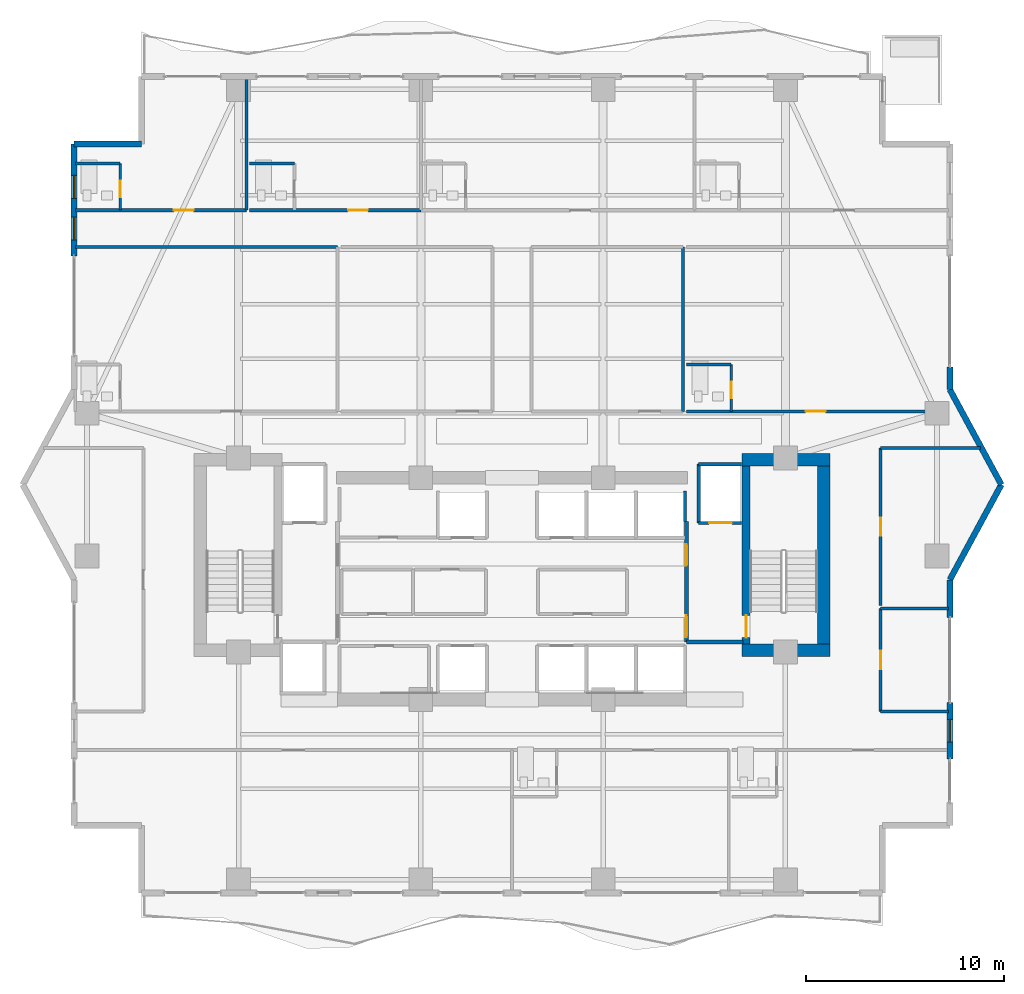
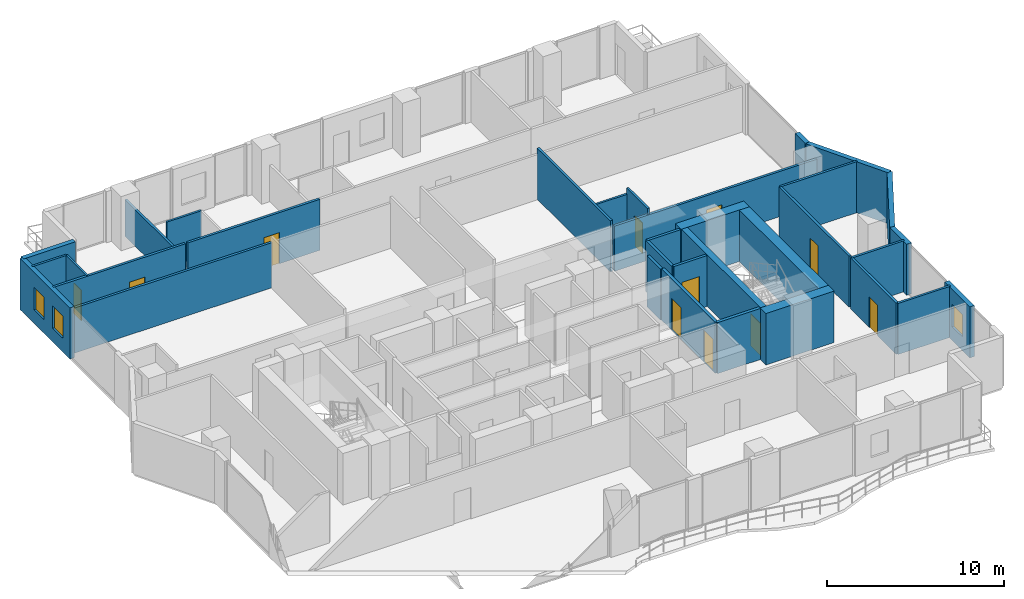
# One storey, part 27 of 32: 33 walls, 11 doors, 3 windows, 14 openings.
"""IFC4 building model written with IfcOpenShell, lengths in metres."""

from ifc_helpers import new_model, si_unit, direction, frame, frame_2d, origin, place, context, subcontext, project, spatial, rectangle, extrude, material, layer, layer_set, type_object, element, fill, save


model = new_model("IFC4")

# Units and contexts
model_context = context("Model", 3, precision=1e-05, world=origin(), true_north=direction((0.0, 1.0)))
body_context = subcontext(model_context, "Body", "Model", "MODEL_VIEW")
ifc_project = project(units=[si_unit("LENGTHUNIT", "METRE"), si_unit("AREAUNIT", "SQUARE_METRE"), si_unit("VOLUMEUNIT", "CUBIC_METRE"), si_unit("PLANEANGLEUNIT", "RADIAN"), si_unit("MASSUNIT", "GRAM", prefix="KILO")], contexts=[model_context])

# Site, building, storey
site_placement = place(None, origin())
site = spatial("IfcSite", under=ifc_project, at=site_placement, CompositionType="ELEMENT")
building_placement = place(site_placement, origin())
building = spatial("IfcBuilding", under=site, at=building_placement, Name="Zuhayl Quay Hotel", CompositionType="ELEMENT")
storey_placement = place(building_placement, frame((0.0, 0.0, 218.64990234375)))
storey = spatial("IfcBuildingStorey", under=building, at=storey_placement, Name="L55", CompositionType="ELEMENT", Elevation=218.64990234375)

# Walls
ifc_material_1 = material(Name="Concrete C50/60", Category="concrete")
ifc_layer_1 = layer(ifc_material_1, 0.64990234375, Name="Concrete C50/60", Category="concrete")
ifc_layer_set_1 = layer_set([ifc_layer_1], Name="Concrete C50/60")
wall_type_1 = type_object("IfcWallType", Name="WL_CORE_650", PredefinedType="SHEAR", material=ifc_layer_set_1)
wall_1_placement = place(storey_placement, frame((11.60009765625, 14.2548828125, 0.0), z_axis=(0.0, 0.0, 1.0), x_axis=(1.0, 0.0, 0.0)))
element("IfcWall", 1, at=wall_1_placement, inside=storey, type_object=wall_type_1, Name="L55 Core Shear Wall CW_NE", PredefinedType="SHEAR", context=body_context, shape_type="SweptSolid", body=[
    extrude(rectangle(XDim=4.4599609375, YDim=0.64990234375, at=frame_2d((2.22998046875, 0.0))), origin(), (0.0, 0.0, 1.0), 3.56005859375),
])
wall_2_placement = place(storey_placement, frame((15.735107421875, 4.969970703125, 0.0), z_axis=(0.0, 0.0, 1.0), x_axis=(0.0, 1.0, 0.0)))
element("IfcWall", 2, at=wall_2_placement, inside=storey, type_object=wall_type_1, Name="L55 Core Shear Wall CW_E", PredefinedType="SHEAR", context=body_context, shape_type="SweptSolid", body=[
    extrude(rectangle(XDim=8.9599609375, YDim=0.64990234375, at=frame_2d((4.47998046875, 0.0))), origin(), (0.0, 0.0, 1.0), 3.56005859375),
])
wall_3_placement = place(storey_placement, frame((11.60009765625, 4.64501953125, 0.0), z_axis=(0.0, 0.0, 1.0), x_axis=(1.0, 0.0, 0.0)))
element("IfcWall", 3, at=wall_3_placement, inside=storey, type_object=wall_type_1, Name="L55 Core Shear Wall CW_SE", PredefinedType="SHEAR", context=body_context, shape_type="SweptSolid", body=[
    extrude(rectangle(XDim=4.4599609375, YDim=0.64990234375, at=frame_2d((2.22998046875, 0.0))), origin(), (0.0, 0.0, 1.0), 3.56005859375),
])

# Wall, openings, windows
ifc_material_2 = material(Name="Precast concrete C45/55", Category="concrete")
ifc_layer_2 = layer(ifc_material_2, 0.300048828125, Name="Precast concrete C45/55", Category="concrete")
ifc_layer_set_2 = layer_set([ifc_layer_2], Name="Precast concrete C45/55")
wall_type_2 = type_object("IfcWallType", Name="WL_EXT_300", PredefinedType="STANDARD", material=ifc_layer_set_2)
wall_4_placement = place(storey_placement, frame((-22.10009765625, 24.550048828125, 0.0), z_axis=(0.0, 0.0, 1.0), x_axis=(0.0, 1.0, 0.0)))
wall_4 = element("IfcWall", 4, at=wall_4_placement, inside=storey, type_object=wall_type_2, Name="L55 Exterior Precast Wall ENV_L55_E05_EW2", PredefinedType="STANDARD", context=body_context, shape_type="SweptSolid", body=[
    extrude(rectangle(XDim=5.64990234375, YDim=0.300048828125, at=frame_2d((2.824951171875, 0.0))), origin(), (0.0, 0.0, 1.0), 3.530029296875),
])
opening_1_placement = place(wall_4_placement, frame((0.800048828125, 0.0, 0.949951171875)))
opening_1 = element("IfcOpeningElement", 5, at=opening_1_placement, cuts=wall_4, Name="Opening W01N", PredefinedType="OPENING", context=body_context, shape_type="SweptSolid", body=[
    extrude(rectangle(XDim=1.14990234375, YDim=1.550048828125, at=frame_2d((0.574951171875, 0.77490234375))), frame((0.0, 0.159912109375, 0.0), z_axis=(0.0, -1.0, 0.0), x_axis=(1.0, 0.0, 0.0)), (0.0, 0.0, 1.0), 0.320068359375),
])
opening_2_placement = place(wall_4_placement, frame((2.905029296875, 0.0, 0.949951171875)))
opening_2 = element("IfcOpeningElement", 6, at=opening_2_placement, cuts=wall_4, Name="Opening W01N", PredefinedType="OPENING", context=body_context, shape_type="SweptSolid", body=[
    extrude(rectangle(XDim=1.14990234375, YDim=1.550048828125, at=frame_2d((0.574951171875, 0.77490234375))), frame((0.0, 0.159912109375, 0.0), z_axis=(0.0, -1.0, 0.0), x_axis=(1.0, 0.0, 0.0)), (0.0, 0.0, 1.0), 0.320068359375),
])
ifc_material_3 = material(Name="Dark Ceramic-Fritted Solar Glass", Category="glass")
window_type = type_object("IfcWindowType", Name="WN_NOTCH_1350", PartitioningType="SINGLE_PANEL", PredefinedType="WINDOW", material=ifc_material_3)
window_1_placement = place(opening_1_placement, origin())
window_1 = element("IfcWindow", 7, at=window_1_placement, inside=storey, type_object=window_type, Name="L55 Operable Facade Window 2-1", OverallHeight=1.550048828125, OverallWidth=1.14990234375, PartitioningType="SINGLE_PANEL", PredefinedType="WINDOW", context=body_context, shape_type="SweptSolid", body=[
    extrude(rectangle(XDim=1.14990234375, YDim=1.550048828125, at=frame_2d((0.574951171875, 0.77490234375))), frame((0.0, 0.030029296875, 0.0), z_axis=(0.0, -1.0, 0.0), x_axis=(1.0, 0.0, 0.0)), (0.0, 0.0, 1.0), 0.06005859375),
])
fill(opening_1, window_1)
window_2_placement = place(opening_2_placement, origin())
window_2 = element("IfcWindow", 8, at=window_2_placement, inside=storey, type_object=window_type, Name="L55 Operable Facade Window 2-2", OverallHeight=1.550048828125, OverallWidth=1.14990234375, PartitioningType="SINGLE_PANEL", PredefinedType="WINDOW", context=body_context, shape_type="SweptSolid", body=[
    extrude(rectangle(XDim=1.14990234375, YDim=1.550048828125, at=frame_2d((0.574951171875, 0.77490234375))), frame((0.0, 0.030029296875, 0.0), z_axis=(0.0, -1.0, 0.0), x_axis=(1.0, 0.0, 0.0)), (0.0, 0.0, 1.0), 0.06005859375),
])
fill(opening_2, window_2)

# Walls
wall_5_placement = place(storey_placement, frame((-22.10009765625, 30.199951171875, 0.0), z_axis=(0.0, 0.0, 1.0), x_axis=(1.0, 0.0, 0.0)))
element("IfcWall", 9, at=wall_5_placement, inside=storey, type_object=wall_type_2, Name="L55 Exterior Precast Wall ENV_L55_EW06", PredefinedType="STANDARD", context=body_context, shape_type="SweptSolid", body=[
    extrude(rectangle(XDim=3.400146484375, YDim=0.300048828125, at=frame_2d((1.7001953125, 0.0))), origin(), (0.0, 0.0, 1.0), 3.530029296875),
])
wall_6_placement = place(storey_placement, frame((22.10009765625, 18.949951171875, 0.0), z_axis=(0.0, 0.0, 1.0), x_axis=(0.0, -1.0, 0.0)))
element("IfcWall", 10, at=wall_6_placement, inside=storey, type_object=wall_type_2, Name="L55 Exterior Precast Wall ENV_L55_E11_EW2", PredefinedType="STANDARD", context=body_context, shape_type="SweptSolid", body=[
    extrude(rectangle(XDim=1.14990234375, YDim=0.300048828125, at=frame_2d((0.574951171875, 0.0))), origin(), (0.0, 0.0, 1.0), 3.530029296875),
])
for number, where, z_axis, x_axis, name in (
    (11, (22.10009765625, 17.800048828125, 0.0), (0.0, 0.0, 1.0), (0.476258655584, -0.879305233114, 0.0), "L55 Exterior Precast Wall ENV_L55_EW12"),
    (12, (24.699951171875, 13.0, 0.0), (0.0, 0.0, 1.0), (-0.476258655584, -0.879305233114, 0.0), "L55 Exterior Precast Wall ENV_L55_EW13"),
):
    element("IfcWall", number, at=place(storey_placement, frame(where, z_axis=z_axis, x_axis=x_axis)), inside=storey, type_object=wall_type_2, Name=name, PredefinedType="STANDARD", context=body_context, shape_type="SweptSolid", body=[
        extrude(rectangle(XDim=5.458984375, YDim=0.300048828125, at=frame_2d((2.7294921875, 0.0))), origin(), (0.0, 0.0, 1.0), 3.530029296875),
    ])
wall_7_placement = place(storey_placement, frame((22.10009765625, 8.199951171875, 0.0), z_axis=(0.0, 0.0, 1.0), x_axis=(0.0, -1.0, 0.0)))
element("IfcWall", 13, at=wall_7_placement, inside=storey, type_object=wall_type_2, Name="L55 Exterior Precast Wall ENV_L55_E14_EW1", PredefinedType="STANDARD", context=body_context, shape_type="SweptSolid", body=[
    extrude(rectangle(XDim=1.89990234375, YDim=0.300048828125, at=frame_2d((0.949951171875, 0.0))), origin(), (0.0, 0.0, 1.0), 3.530029296875),
])

# Wall, opening, window
wall_8_placement = place(storey_placement, frame((22.10009765625, 2.0, 0.0), z_axis=(0.0, 0.0, 1.0), x_axis=(0.0, -1.0, 0.0)))
wall_8 = element("IfcWall", 14, at=wall_8_placement, inside=storey, type_object=wall_type_2, Name="L55 Exterior Precast Wall ENV_L55_E14_EW2", PredefinedType="STANDARD", context=body_context, shape_type="SweptSolid", body=[
    extrude(rectangle(XDim=2.85009765625, YDim=0.300048828125, at=frame_2d((1.425048828125, 0.0))), origin(), (0.0, 0.0, 1.0), 3.530029296875),
])
opening_3_placement = place(wall_8_placement, frame((0.85009765625, 0.0, 0.949951171875)))
opening_3 = element("IfcOpeningElement", 15, at=opening_3_placement, cuts=wall_8, Name="Opening W01N", PredefinedType="OPENING", context=body_context, shape_type="SweptSolid", body=[
    extrude(rectangle(XDim=1.14990234375, YDim=1.550048828125, at=frame_2d((0.574951171875, 0.77490234375))), frame((0.0, 0.159912109375, 0.0), z_axis=(0.0, -1.0, 0.0), x_axis=(1.0, 0.0, 0.0)), (0.0, 0.0, 1.0), 0.320068359375),
])
window_3_placement = place(opening_3_placement, origin())
window_3 = element("IfcWindow", 16, at=window_3_placement, inside=storey, type_object=window_type, Name="L55 Operable Facade Window 2-1", OverallHeight=1.550048828125, OverallWidth=1.14990234375, PartitioningType="SINGLE_PANEL", PredefinedType="WINDOW", context=body_context, shape_type="SweptSolid", body=[
    extrude(rectangle(XDim=1.14990234375, YDim=1.550048828125, at=frame_2d((0.574951171875, 0.77490234375))), frame((0.0, 0.030029296875, 0.0), z_axis=(0.0, -1.0, 0.0), x_axis=(1.0, 0.0, 0.0)), (0.0, 0.0, 1.0), 0.06005859375),
])
fill(opening_3, window_3)

# Walls
ifc_material_4 = material(Name="Acoustic Gypsum Partition STC-58")
ifc_layer_3 = layer(ifc_material_4, 0.14990234375, Name="Acoustic Gypsum Partition STC-58")
ifc_layer_set_3 = layer_set([ifc_layer_3], Name="Acoustic Gypsum Partition STC-58")
wall_type_3 = type_object("IfcWallType", Name="WL_PART_150", PredefinedType="PARTITIONING", material=ifc_layer_set_3)
wall_9_placement = place(storey_placement, frame((-13.39990234375, 26.85009765625, 0.0), z_axis=(0.0, 0.0, 1.0), x_axis=(0.0, 1.0, 0.0)))
element("IfcWall", 17, at=wall_9_placement, inside=storey, type_object=wall_type_3, Name="L55 Partition IW_L55_NU01A_E", PredefinedType="PARTITIONING", context=body_context, shape_type="SweptSolid", body=[
    extrude(rectangle(XDim=6.669921875, YDim=0.14990234375, at=frame_2d((3.3349609375, 0.0))), origin(), (0.0, 0.0, 1.0), 2.51904296875),
])
wall_10_placement = place(storey_placement, frame((8.639892578125, 16.699951171875, 0.0), z_axis=(0.0, 0.0, 1.0), x_axis=(0.0, 1.0, 0.0)))
element("IfcWall", 18, at=wall_10_placement, inside=storey, type_object=wall_type_3, Name="L55 Partition IW_L55_Z3_MID_E_E", PredefinedType="PARTITIONING", context=body_context, shape_type="SweptSolid", body=[
    extrude(rectangle(XDim=8.300048828125, YDim=0.14990234375, at=frame_2d((4.14990234375, 0.0))), origin(), (0.0, 0.0, 1.0), 3.530029296875),
])
for number, where, z_axis, x_axis, name in (
    (19, (18.60009765625, 1.550048828125, 0.0), (0.0, 0.0, 1.0), (1.0, 0.0, 0.0), "L55 Partition IW_L55_HK_MAIN_S"),
    (20, (18.60009765625, 6.75, 0.0), (0.0, 0.0, 1.0), (1.0, 0.0, 0.0), "L55 Partition IW_L55_HK_MAIN_N"),
):
    element("IfcWall", number, at=place(storey_placement, frame(where, z_axis=z_axis, x_axis=x_axis)), inside=storey, type_object=wall_type_3, Name=name, PredefinedType="PARTITIONING", context=body_context, shape_type="SweptSolid", body=[
        extrude(rectangle(XDim=3.43994140625, YDim=0.14990234375, at=frame_2d((1.719970703125, 0.0))), origin(), (0.0, 0.0, 1.0), 3.530029296875),
    ])
wall_11_placement = place(storey_placement, frame((18.60009765625, 14.85009765625, 0.0), z_axis=(0.0, 0.0, 1.0), x_axis=(1.0, 0.0, 0.0)))
element("IfcWall", 21, at=wall_11_placement, inside=storey, type_object=wall_type_3, Name="L55 Partition IW_L55_EFLK_2_N", PredefinedType="PARTITIONING", context=body_context, shape_type="SweptSolid", body=[
    extrude(rectangle(XDim=5.037841796875, YDim=0.14990234375, at=frame_2d((2.51904296875, 0.0))), origin(), (0.0, 0.0, 1.0), 3.530029296875),
])

# Wall, opening, door
ifc_layer_4 = layer(ifc_material_4, 0.159912109375, Name="Acoustic Gypsum Partition STC-58")
ifc_layer_set_4 = layer_set([ifc_layer_4], Name="Acoustic Gypsum Partition STC-58")
wall_type_4 = type_object("IfcWallType", Name="WL_PART_CORR_160", PredefinedType="PARTITIONING", material=ifc_layer_set_4)
wall_12_placement = place(storey_placement, frame((-22.0400390625, 26.85009765625, 0.0), z_axis=(0.0, 0.0, 1.0), x_axis=(1.0, 0.0, 0.0)))
wall_12 = element("IfcWall", 22, at=wall_12_placement, inside=storey, type_object=wall_type_4, Name="L55 Partition IW_L55_NU01A_COR", PredefinedType="PARTITIONING", context=body_context, shape_type="SweptSolid", body=[
    extrude(rectangle(XDim=8.64013671875, YDim=0.159912109375, at=frame_2d((4.320068359375, 0.0))), origin(), (0.0, 0.0, 1.0), 3.530029296875),
])
opening_4_placement = place(wall_12_placement, frame((4.969970703125, 0.0, 0.0)))
opening_4 = element("IfcOpeningElement", 23, at=opening_4_placement, cuts=wall_12, Name="Opening D03L", PredefinedType="OPENING", context=body_context, shape_type="SweptSolid", body=[
    extrude(rectangle(XDim=1.0, YDim=2.14990234375, at=frame_2d((0.5, 1.074951171875))), frame((0.0, 0.08984375, 0.0), z_axis=(0.0, -1.0, 0.0), x_axis=(1.0, 0.0, 0.0)), (0.0, 0.0, 1.0), 0.179931640625),
])
ifc_material_5 = material(Name="Solid Walnut Acoustic Fire Door")
door_type_1 = type_object("IfcDoorType", Name="DR_SUITE_1000", OperationType="NOTDEFINED", PredefinedType="DOOR", material=ifc_material_5)
door_1_placement = place(opening_4_placement, origin())
door_1 = element("IfcDoor", 24, at=door_1_placement, inside=storey, type_object=door_type_1, Name="L55 Panoramic Gulf Suite L55-01A Entrance Door", OperationType="SINGLE_SWING_LEFT", OverallHeight=2.14990234375, OverallWidth=1.0, PredefinedType="DOOR", context=body_context, shape_type="SweptSolid", body=[
    extrude(rectangle(XDim=1.0, YDim=2.14990234375, at=frame_2d((0.5, 1.074951171875))), frame((0.0, 0.02490234375, 0.0), z_axis=(0.0, -1.0, 0.0), x_axis=(1.0, 0.0, 0.0)), (0.0, 0.0, 1.0), 0.050048828125),
])
fill(opening_4, door_1)

wall_13_placement = place(storey_placement, frame((-13.239990234375, 26.85009765625, 0.0), z_axis=(0.0, 0.0, 1.0), x_axis=(1.0, 0.0, 0.0)))
wall_13 = element("IfcWall", 25, at=wall_13_placement, inside=storey, type_object=wall_type_4, Name="L55 Partition IW_L55_NU01B_COR", PredefinedType="PARTITIONING", context=body_context, shape_type="SweptSolid", body=[
    extrude(rectangle(XDim=8.639892578125, YDim=0.159912109375, at=frame_2d((4.31982421875, 0.0))), origin(), (0.0, 0.0, 1.0), 3.530029296875),
])
opening_5_placement = place(wall_13_placement, frame((4.969970703125, 0.0, 0.0)))
opening_5 = element("IfcOpeningElement", 26, at=opening_5_placement, cuts=wall_13, Name="Opening D03L", PredefinedType="OPENING", context=body_context, shape_type="SweptSolid", body=[
    extrude(rectangle(XDim=1.0, YDim=2.14990234375, at=frame_2d((0.5, 1.074951171875))), frame((0.0, 0.08984375, 0.0), z_axis=(0.0, -1.0, 0.0), x_axis=(1.0, 0.0, 0.0)), (0.0, 0.0, 1.0), 0.179931640625),
])
door_2_placement = place(opening_5_placement, origin())
door_2 = element("IfcDoor", 27, at=door_2_placement, inside=storey, type_object=door_type_1, Name="L55 Panoramic Gulf Suite L55-01B Entrance Door", OperationType="SINGLE_SWING_LEFT", OverallHeight=2.14990234375, OverallWidth=1.0, PredefinedType="DOOR", context=body_context, shape_type="SweptSolid", body=[
    extrude(rectangle(XDim=1.0, YDim=2.14990234375, at=frame_2d((0.5, 1.074951171875))), frame((0.0, 0.02490234375, 0.0), z_axis=(0.0, -1.0, 0.0), x_axis=(1.0, 0.0, 0.0)), (0.0, 0.0, 1.0), 0.050048828125),
])
fill(opening_5, door_2)

wall_14_placement = place(storey_placement, frame((8.800048828125, 16.699951171875, 0.0), z_axis=(0.0, 0.0, 1.0), x_axis=(1.0, 0.0, 0.0)))
wall_14 = element("IfcWall", 28, at=wall_14_placement, inside=storey, type_object=wall_type_4, Name="L55 Partition IW_L55_MU04_COR", PredefinedType="PARTITIONING", context=body_context, shape_type="SweptSolid", body=[
    extrude(rectangle(XDim=13.239990234375, YDim=0.159912109375, at=frame_2d((6.6201171875, 0.0))), origin(), (0.0, 0.0, 1.0), 3.1240234375),
])
opening_6_placement = place(wall_14_placement, frame((6.02490234375, 0.0, 0.0)))
opening_6 = element("IfcOpeningElement", 29, at=opening_6_placement, cuts=wall_14, Name="Opening D03L", PredefinedType="OPENING", context=body_context, shape_type="SweptSolid", body=[
    extrude(rectangle(XDim=1.0, YDim=2.14990234375, at=frame_2d((0.5, 1.074951171875))), frame((0.0, 0.08984375, 0.0), z_axis=(0.0, -1.0, 0.0), x_axis=(1.0, 0.0, 0.0)), (0.0, 0.0, 1.0), 0.179931640625),
])
door_3_placement = place(opening_6_placement, origin())
door_3 = element("IfcDoor", 30, at=door_3_placement, inside=storey, type_object=door_type_1, Name="L55 Club Junior Suite L55-M4 Entrance Door", OperationType="SINGLE_SWING_LEFT", OverallHeight=2.14990234375, OverallWidth=1.0, PredefinedType="DOOR", context=body_context, shape_type="SweptSolid", body=[
    extrude(rectangle(XDim=1.0, YDim=2.14990234375, at=frame_2d((0.5, 1.074951171875))), frame((0.0, 0.02490234375, 0.0), z_axis=(0.0, -1.0, 0.0), x_axis=(1.0, 0.0, 0.0)), (0.0, 0.0, 1.0), 0.050048828125),
])
fill(opening_6, door_3)

wall_15_placement = place(storey_placement, frame((18.60009765625, 1.550048828125, 0.0), z_axis=(0.0, 0.0, 1.0), x_axis=(0.0, 1.0, 0.0)))
wall_15 = element("IfcWall", 31, at=wall_15_placement, inside=storey, type_object=wall_type_4, Name="L55 Partition IW_L55_HK_MAIN_W", PredefinedType="PARTITIONING", context=body_context, shape_type="SweptSolid", body=[
    extrude(rectangle(XDim=5.199951171875, YDim=0.159912109375, at=frame_2d((2.60009765625, 0.0))), origin(), (0.0, 0.0, 1.0), 3.530029296875),
])
opening_7_placement = place(wall_15_placement, frame((2.139892578125, 0.0, 0.0)))
opening_7 = element("IfcOpeningElement", 32, at=opening_7_placement, cuts=wall_15, Name="Opening D05", PredefinedType="OPENING", context=body_context, shape_type="SweptSolid", body=[
    extrude(rectangle(XDim=0.919921875, YDim=2.1201171875, at=frame_2d((0.4599609375, 1.06005859375))), frame((0.0, 0.08984375, 0.0), z_axis=(0.0, -1.0, 0.0), x_axis=(1.0, 0.0, 0.0)), (0.0, 0.0, 1.0), 0.179931640625),
])
door_type_2 = type_object("IfcDoorType", Name="DR_INT_950", OperationType="NOTDEFINED", PredefinedType="DOOR", material=ifc_material_5)
door_4_placement = place(opening_7_placement, origin())
door_4 = element("IfcDoor", 33, at=door_4_placement, inside=storey, type_object=door_type_2, Name="L55 Housekeeping and Linen Room Door", OperationType="SINGLE_SWING_LEFT", OverallHeight=2.1201171875, OverallWidth=0.919921875, PredefinedType="DOOR", context=body_context, shape_type="SweptSolid", body=[
    extrude(rectangle(XDim=0.919921875, YDim=2.1201171875, at=frame_2d((0.4599609375, 1.06005859375))), frame((0.0, 0.02490234375, 0.0), z_axis=(0.0, -1.0, 0.0), x_axis=(1.0, 0.0, 0.0)), (0.0, 0.0, 1.0), 0.050048828125),
])
fill(opening_7, door_4)

wall_16_placement = place(storey_placement, frame((18.60009765625, 6.909912109375, 0.0), z_axis=(0.0, 0.0, 1.0), x_axis=(0.0, 1.0, 0.0)))
wall_16 = element("IfcWall", 34, at=wall_16_placement, inside=storey, type_object=wall_type_4, Name="L55 Partition IW_L55_EFLK_2_W", PredefinedType="PARTITIONING", context=body_context, shape_type="SweptSolid", body=[
    extrude(rectangle(XDim=7.940185546875, YDim=0.159912109375, at=frame_2d((3.97021484375, 0.0))), origin(), (0.0, 0.0, 1.0), 3.530029296875),
])
opening_8_placement = place(wall_16_placement, frame((3.510009765625, 0.0, 0.0)))
opening_8 = element("IfcOpeningElement", 35, at=opening_8_placement, cuts=wall_16, Name="Opening D05", PredefinedType="OPENING", context=body_context, shape_type="SweptSolid", body=[
    extrude(rectangle(XDim=0.919921875, YDim=2.1201171875, at=frame_2d((0.4599609375, 1.06005859375))), frame((0.0, 0.08984375, 0.0), z_axis=(0.0, -1.0, 0.0), x_axis=(1.0, 0.0, 0.0)), (0.0, 0.0, 1.0), 0.179931640625),
])
door_5_placement = place(opening_8_placement, origin())
door_5 = element("IfcDoor", 36, at=door_5_placement, inside=storey, type_object=door_type_2, Name="L55 East Prow Reading Lounge L55 Door", OperationType="SINGLE_SWING_RIGHT", OverallHeight=2.1201171875, OverallWidth=0.919921875, PredefinedType="DOOR", context=body_context, shape_type="SweptSolid", body=[
    extrude(rectangle(XDim=0.919921875, YDim=2.1201171875, at=frame_2d((0.4599609375, 1.06005859375))), frame((0.0, 0.02490234375, 0.0), z_axis=(0.0, -1.0, 0.0), x_axis=(1.0, 0.0, 0.0)), (0.0, 0.0, 1.0), 0.050048828125),
])
fill(opening_8, door_5)

# Wall
wall_17_placement = place(storey_placement, frame((-22.0400390625, 25.0, 0.0), z_axis=(0.0, 0.0, 1.0), x_axis=(1.0, 0.0, 0.0)))
element("IfcWall", 37, at=wall_17_placement, inside=storey, type_object=wall_type_4, Name="L55 Partition IW_L55_MU01_BK", PredefinedType="PARTITIONING", context=body_context, shape_type="SweptSolid", body=[
    extrude(rectangle(XDim=13.239990234375, YDim=0.159912109375, at=frame_2d((6.6201171875, 0.0))), origin(), (0.0, 0.0, 1.0), 3.1240234375),
])

# Wall, opening, door
ifc_material_6 = material(Name="Moisture-Resistant Sanitarychase Gypsum")
ifc_layer_5 = layer(ifc_material_6, 0.135009765625, Name="Moisture-Resistant Sanitarychase Gypsum")
ifc_layer_set_5 = layer_set([ifc_layer_5], Name="Moisture-Resistant Sanitarychase Gypsum")
wall_type_5 = type_object("IfcWallType", Name="WL_PART_PLUMB_150", PredefinedType="PLUMBINGWALL", material=ifc_layer_set_5)
wall_18_placement = place(storey_placement, frame((-19.780029296875, 26.85009765625, 0.0), z_axis=(0.0, 0.0, 1.0), x_axis=(0.0, 1.0, 0.0)))
wall_18 = element("IfcWall", 38, at=wall_18_placement, inside=storey, type_object=wall_type_5, Name="L55 Partition IW_L55_NU01A_BE", PredefinedType="PLUMBINGWALL", context=body_context, shape_type="SweptSolid", body=[
    extrude(rectangle(XDim=2.35986328125, YDim=0.135009765625, at=frame_2d((1.179931640625, 0.0))), origin(), (0.0, 0.0, 1.0), 3.530029296875),
])
opening_9_placement = place(wall_18_placement, frame((0.64990234375, 0.0, 0.0)))
opening_9 = element("IfcOpeningElement", 39, at=opening_9_placement, cuts=wall_18, Name="Opening D04", PredefinedType="OPENING", context=body_context, shape_type="SweptSolid", body=[
    extrude(rectangle(XDim=0.85009765625, YDim=2.10009765625, at=frame_2d((0.425048828125, 1.050048828125))), frame((0.0, 0.077392578125, 0.0), z_axis=(0.0, -1.0, 0.0), x_axis=(1.0, 0.0, 0.0)), (0.0, 0.0, 1.0), 0.155029296875),
])
ifc_material_7 = material(Name="Moisture-Resistant Walnut Veneer")
door_type_3 = type_object("IfcDoorType", Name="DR_BATH_850", OperationType="NOTDEFINED", PredefinedType="DOOR", material=ifc_material_7)
door_6_placement = place(opening_9_placement, origin())
door_6 = element("IfcDoor", 40, at=door_6_placement, inside=storey, type_object=door_type_3, Name="L55 Panoramic Gulf Suite L55-01A En-Suite Door", OperationType="SINGLE_SWING_RIGHT", OverallHeight=2.10009765625, OverallWidth=0.85009765625, PredefinedType="DOOR", context=body_context, shape_type="SweptSolid", body=[
    extrude(rectangle(XDim=0.85009765625, YDim=2.10009765625, at=frame_2d((0.425048828125, 1.050048828125))), frame((0.0, 0.02490234375, 0.0), z_axis=(0.0, -1.0, 0.0), x_axis=(1.0, 0.0, 0.0)), (0.0, 0.0, 1.0), 0.050048828125),
])
fill(opening_9, door_6)

wall_19_placement = place(storey_placement, frame((11.06005859375, 16.699951171875, 0.0), z_axis=(0.0, 0.0, 1.0), x_axis=(0.0, 1.0, 0.0)))
wall_19 = element("IfcWall", 41, at=wall_19_placement, inside=storey, type_object=wall_type_5, Name="L55 Partition IW_L55_MU04_BE", PredefinedType="PLUMBINGWALL", context=body_context, shape_type="SweptSolid", body=[
    extrude(rectangle(XDim=2.360107421875, YDim=0.135009765625, at=frame_2d((1.18017578125, 0.0))), origin(), (0.0, 0.0, 1.0), 3.530029296875),
])
opening_10_placement = place(wall_19_placement, frame((0.64990234375, 0.0, 0.0)))
opening_10 = element("IfcOpeningElement", 42, at=opening_10_placement, cuts=wall_19, Name="Opening D04", PredefinedType="OPENING", context=body_context, shape_type="SweptSolid", body=[
    extrude(rectangle(XDim=0.85009765625, YDim=2.10009765625, at=frame_2d((0.425048828125, 1.050048828125))), frame((0.0, 0.077392578125, 0.0), z_axis=(0.0, -1.0, 0.0), x_axis=(1.0, 0.0, 0.0)), (0.0, 0.0, 1.0), 0.155029296875),
])
door_7_placement = place(opening_10_placement, origin())
door_7 = element("IfcDoor", 43, at=door_7_placement, inside=storey, type_object=door_type_3, Name="L55 Club Junior Suite L55-M4 En-Suite Door", OperationType="SINGLE_SWING_RIGHT", OverallHeight=2.10009765625, OverallWidth=0.85009765625, PredefinedType="DOOR", context=body_context, shape_type="SweptSolid", body=[
    extrude(rectangle(XDim=0.85009765625, YDim=2.10009765625, at=frame_2d((0.425048828125, 1.050048828125))), frame((0.0, 0.02490234375, 0.0), z_axis=(0.0, -1.0, 0.0), x_axis=(1.0, 0.0, 0.0)), (0.0, 0.0, 1.0), 0.050048828125),
])
fill(opening_10, door_7)

# Walls
for number, where, z_axis, x_axis, name in (
    (44, (-22.0400390625, 29.2099609375, 0.0), (0.0, 0.0, 1.0), (1.0, 0.0, 0.0), "L55 Partition IW_L55_NU01A_BN"),
    (45, (-13.239990234375, 29.2099609375, 0.0), (0.0, 0.0, 1.0), (1.0, 0.0, 0.0), "L55 Partition IW_L55_NU01B_BN"),
):
    element("IfcWall", number, at=place(storey_placement, frame(where, z_axis=z_axis, x_axis=x_axis)), inside=storey, type_object=wall_type_5, Name=name, PredefinedType="PLUMBINGWALL", context=body_context, shape_type="SweptSolid", body=[
        extrude(rectangle(XDim=2.260009765625, YDim=0.135009765625, at=frame_2d((1.1298828125, 0.0))), origin(), (0.0, 0.0, 1.0), 3.530029296875),
    ])
wall_20_placement = place(storey_placement, frame((8.800048828125, 19.06005859375, 0.0), z_axis=(0.0, 0.0, 1.0), x_axis=(1.0, 0.0, 0.0)))
element("IfcWall", 46, at=wall_20_placement, inside=storey, type_object=wall_type_5, Name="L55 Partition IW_L55_MU04_BN", PredefinedType="PLUMBINGWALL", context=body_context, shape_type="SweptSolid", body=[
    extrude(rectangle(XDim=2.260009765625, YDim=0.135009765625, at=frame_2d((1.1298828125, 0.0))), origin(), (0.0, 0.0, 1.0), 3.1240234375),
])

# Wall, opening, door
ifc_material_8 = material(Name="Gypsum Fireboard Assembly EI-90")
ifc_layer_6 = layer(ifc_material_8, 0.1650390625, Name="Gypsum Fireboard Assembly EI-90")
ifc_layer_set_6 = layer_set([ifc_layer_6], Name="Gypsum Fireboard Assembly EI-90")
wall_type_6 = type_object("IfcWallType", Name="WL_PART_SHAFT_160", PredefinedType="PARTITIONING", material=ifc_layer_set_6)
wall_21_placement = place(storey_placement, frame((9.419921875, 11.070068359375, 0.0), z_axis=(0.0, 0.0, 1.0), x_axis=(1.0, 0.0, 0.0)))
wall_21 = element("IfcWall", 47, at=wall_21_placement, inside=storey, type_object=wall_type_6, Name="L55 Partition IW_L55_SH_FL2_F", PredefinedType="PARTITIONING", context=body_context, shape_type="SweptSolid", body=[
    extrude(rectangle(XDim=2.16015625, YDim=0.1650390625, at=frame_2d((1.080078125, 0.0))), origin(), (0.0, 0.0, 1.0), 3.530029296875),
])
opening_11_placement = place(wall_21_placement, frame((0.530029296875, 0.0, 0.0)))
opening_11 = element("IfcOpeningElement", 48, at=opening_11_placement, cuts=wall_21, Name="Opening LD2", PredefinedType="OPENING", context=body_context, shape_type="SweptSolid", body=[
    extrude(rectangle(XDim=1.14990234375, YDim=2.25, at=frame_2d((0.574951171875, 1.125))), frame((0.0, 0.092529296875, 0.0), z_axis=(0.0, -1.0, 0.0), x_axis=(1.0, 0.0, 0.0)), (0.0, 0.0, 1.0), 0.18505859375),
])
ifc_material_9 = material(Name="Brushed Stainless Steel", Category="steel")
door_type_4 = type_object("IfcDoorType", Name="DR_LIFT_FF_1100", OperationType="SLIDING_TO_LEFT", PredefinedType="DOOR", material=ifc_material_9)
door_8_placement = place(opening_11_placement, origin())
door_8 = element("IfcDoor", 49, at=door_8_placement, inside=storey, type_object=door_type_4, Name="L55 Lift FL2 Sliding Landing Door", OperationType="SLIDING_TO_LEFT", OverallHeight=2.25, OverallWidth=1.14990234375, PredefinedType="DOOR", context=body_context, shape_type="SweptSolid", body=[
    extrude(rectangle(XDim=1.14990234375, YDim=2.25, at=frame_2d((0.574951171875, 1.125))), frame((0.0, 0.02490234375, 0.0), z_axis=(0.0, -1.0, 0.0), x_axis=(1.0, 0.0, 0.0)), (0.0, 0.0, 1.0), 0.050048828125),
])
fill(opening_11, door_8)

# Walls
wall_22_placement = place(storey_placement, frame((9.419921875, 11.070068359375, 0.0), z_axis=(0.0, 0.0, 1.0), x_axis=(0.0, 1.0, 0.0)))
element("IfcWall", 50, at=wall_22_placement, inside=storey, type_object=wall_type_6, Name="L55 Partition IW_L55_SH_FL2_W", PredefinedType="PARTITIONING", context=body_context, shape_type="SweptSolid", body=[
    extrude(rectangle(XDim=2.9599609375, YDim=0.1650390625, at=frame_2d((1.47998046875, 0.0))), origin(), (0.0, 0.0, 1.0), 3.530029296875),
])
wall_23_placement = place(storey_placement, frame((9.419921875, 14.030029296875, 0.0), z_axis=(0.0, 0.0, 1.0), x_axis=(1.0, 0.0, 0.0)))
element("IfcWall", 51, at=wall_23_placement, inside=storey, type_object=wall_type_6, Name="L55 Partition IW_L55_SH_FL2_B", PredefinedType="PARTITIONING", context=body_context, shape_type="SweptSolid", body=[
    extrude(rectangle(XDim=2.16015625, YDim=0.1650390625, at=frame_2d((1.080078125, 0.0))), origin(), (0.0, 0.0, 1.0), 3.530029296875),
])
wall_24_placement = place(storey_placement, frame((8.72998046875, 11.14990234375, 0.0), z_axis=(0.0, 0.0, 1.0), x_axis=(0.0, 1.0, 0.0)))
element("IfcWall", 52, at=wall_24_placement, inside=storey, type_object=wall_type_6, Name="L55 Partition IW_L55_SH_HP4_E", PredefinedType="PARTITIONING", context=body_context, shape_type="SweptSolid", body=[
    extrude(rectangle(XDim=1.530029296875, YDim=0.1650390625, at=frame_2d((0.76513671875, 0.0))), origin(), (0.0, 0.0, 1.0), 3.530029296875),
])

# Wall, openings, doors
ifc_material_10 = material(Name="Gypsum Fireboard Assembly EI-120")
ifc_layer_7 = layer(ifc_material_10, 0.199951171875, Name="Gypsum Fireboard Assembly EI-120")
ifc_layer_set_7 = layer_set([ifc_layer_7], Name="Gypsum Fireboard Assembly EI-120")
wall_type_7 = type_object("IfcWallType", Name="WL_PART_SHAFT_200", PredefinedType="PARTITIONING", material=ifc_layer_set_7)
wall_25_placement = place(storey_placement, frame((8.800048828125, 11.14990234375, 0.0), z_axis=(0.0, 0.0, 1.0), x_axis=(0.0, -1.0, 0.0)))
wall_25 = element("IfcWall", 53, at=wall_25_placement, inside=storey, type_object=wall_type_7, Name="L55 Partition IW_L55_FSAE_E_W", PredefinedType="PARTITIONING", context=body_context, shape_type="SweptSolid", body=[
    extrude(rectangle(XDim=6.099853515625, YDim=0.199951171875, at=frame_2d((3.0498046875, 0.0))), origin(), (0.0, 0.0, 1.0), 3.530029296875),
])
opening_12_placement = place(wall_25_placement, frame((1.14990234375, 0.0, 0.0)))
opening_12 = element("IfcOpeningElement", 54, at=opening_12_placement, cuts=wall_25, Name="Opening D02", PredefinedType="OPENING", context=body_context, shape_type="SweptSolid", body=[
    extrude(rectangle(XDim=1.10009765625, YDim=2.199951171875, at=frame_2d((0.550048828125, 1.10009765625))), frame((0.0, 0.10986328125, 0.0), z_axis=(0.0, -1.0, 0.0), x_axis=(1.0, 0.0, 0.0)), (0.0, 0.0, 1.0), 0.219970703125),
])
opening_13_placement = place(wall_25_placement, frame((4.75, 0.0, 0.0)))
opening_13 = element("IfcOpeningElement", 55, at=opening_13_placement, cuts=wall_25, Name="Opening D02", PredefinedType="OPENING", context=body_context, shape_type="SweptSolid", body=[
    extrude(rectangle(XDim=1.10009765625, YDim=2.199951171875, at=frame_2d((0.550048828125, 1.10009765625))), frame((0.0, 0.10986328125, 0.0), z_axis=(0.0, -1.0, 0.0), x_axis=(1.0, 0.0, 0.0)), (0.0, 0.0, 1.0), 0.219970703125),
])
ifc_material_11 = material(Name="Steel ASTM A992 Grade 50", Category="steel")
door_type_5 = type_object("IfcDoorType", Name="DR_FIRE_90_1100", OperationType="NOTDEFINED", PredefinedType="DOOR", material=ifc_material_11)
door_9_placement = place(opening_12_placement, origin())
door_9 = element("IfcDoor", 56, at=door_9_placement, inside=storey, type_object=door_type_5, Name="L55 FSAE Lobby East North Entry Door", OperationType="SINGLE_SWING_LEFT", OverallHeight=2.199951171875, OverallWidth=1.10009765625, PredefinedType="DOOR", context=body_context, shape_type="SweptSolid", body=[
    extrude(rectangle(XDim=1.10009765625, YDim=2.199951171875, at=frame_2d((0.550048828125, 1.10009765625))), frame((0.0, 0.02490234375, 0.0), z_axis=(0.0, -1.0, 0.0), x_axis=(1.0, 0.0, 0.0)), (0.0, 0.0, 1.0), 0.050048828125),
])
fill(opening_12, door_9)
door_10_placement = place(opening_13_placement, origin())
door_10 = element("IfcDoor", 57, at=door_10_placement, inside=storey, type_object=door_type_5, Name="L55 FSAE Lobby East South Entry Door", OperationType="SINGLE_SWING_RIGHT", OverallHeight=2.199951171875, OverallWidth=1.10009765625, PredefinedType="DOOR", context=body_context, shape_type="SweptSolid", body=[
    extrude(rectangle(XDim=1.10009765625, YDim=2.199951171875, at=frame_2d((0.550048828125, 1.10009765625))), frame((0.0, 0.02490234375, 0.0), z_axis=(0.0, -1.0, 0.0), x_axis=(1.0, 0.0, 0.0)), (0.0, 0.0, 1.0), 0.050048828125),
])
fill(opening_13, door_10)

# Wall
wall_26_placement = place(storey_placement, frame((8.800048828125, 5.050048828125, 0.0), z_axis=(0.0, 0.0, 1.0), x_axis=(1.0, 0.0, 0.0)))
element("IfcWall", 58, at=wall_26_placement, inside=storey, type_object=wall_type_7, Name="L55 Partition IW_L55_FSAE_E_S", PredefinedType="PARTITIONING", context=body_context, shape_type="SweptSolid", body=[
    extrude(rectangle(XDim=2.849853515625, YDim=0.199951171875, at=frame_2d((1.4248046875, 0.0))), origin(), (0.0, 0.0, 1.0), 3.530029296875),
])

# Wall, opening, door
ifc_material_12 = material(Name="Concrete C60/75", Category="concrete")
ifc_layer_8 = layer(ifc_material_12, 0.39990234375, Name="Concrete C60/75", Category="concrete")
ifc_layer_set_8 = layer_set([ifc_layer_8], Name="Concrete C60/75")
wall_type_8 = type_object("IfcWallType", Name="WL_STAIR_400", PredefinedType="SHEAR", material=ifc_layer_set_8)
wall_27_placement = place(storey_placement, frame((11.820068359375, 13.929931640625, 0.0), z_axis=(0.0, 0.0, 1.0), x_axis=(0.0, -1.0, 0.0)))
wall_27 = element("IfcWall", 59, at=wall_27_placement, inside=storey, type_object=wall_type_8, Name="L55 Core Shear Wall SW_ST2", PredefinedType="SHEAR", context=body_context, shape_type="SweptSolid", body=[
    extrude(rectangle(XDim=8.9599609375, YDim=0.39990234375, at=frame_2d((4.47998046875, 0.0))), origin(), (0.0, 0.0, 1.0), 3.56005859375),
])
opening_14_placement = place(wall_27_placement, frame((7.530029296875, 0.0, 0.0)))
opening_14 = element("IfcOpeningElement", 60, at=opening_14_placement, cuts=wall_27, Name="Opening D01", PredefinedType="OPENING", context=body_context, shape_type="SweptSolid", body=[
    extrude(rectangle(XDim=1.1201171875, YDim=2.219970703125, at=frame_2d((0.56005859375, 1.10986328125))), frame((0.0, 0.2099609375, 0.0), z_axis=(0.0, -1.0, 0.0), x_axis=(1.0, 0.0, 0.0)), (0.0, 0.0, 1.0), 0.419921875),
])
door_type_6 = type_object("IfcDoorType", Name="DR_STAIR_90_1100", OperationType="NOTDEFINED", PredefinedType="DOOR", material=ifc_material_11)
door_11_placement = place(opening_14_placement, origin())
door_11 = element("IfcDoor", 61, at=door_11_placement, inside=storey, type_object=door_type_6, Name="L55 Smokeproof Exit Stair ST2 Door", OperationType="SINGLE_SWING_RIGHT", OverallHeight=2.219970703125, OverallWidth=1.1201171875, PredefinedType="DOOR", context=body_context, shape_type="SweptSolid", body=[
    extrude(rectangle(XDim=1.1201171875, YDim=2.219970703125, at=frame_2d((0.56005859375, 1.10986328125))), frame((0.0, 0.02490234375, 0.0), z_axis=(0.0, -1.0, 0.0), x_axis=(1.0, 0.0, 0.0)), (0.0, 0.0, 1.0), 0.050048828125),
])
fill(opening_14, door_11)

save(model, "model.ifc")
